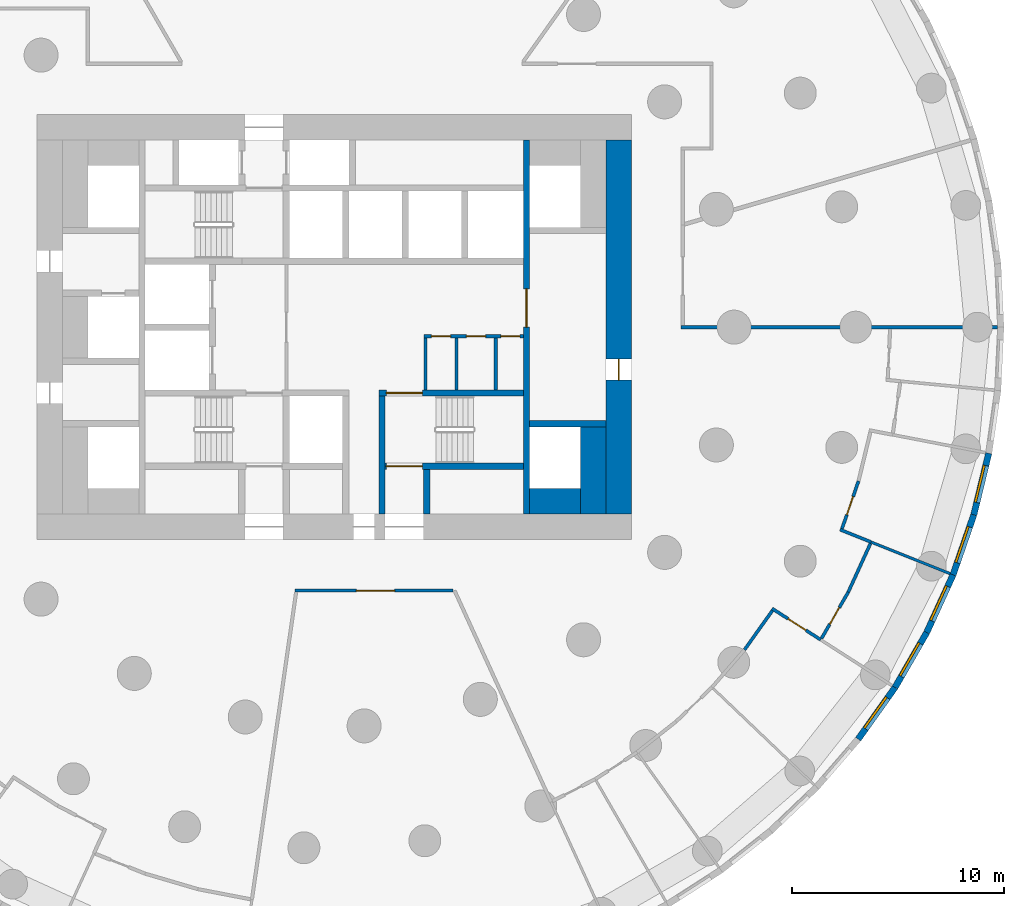
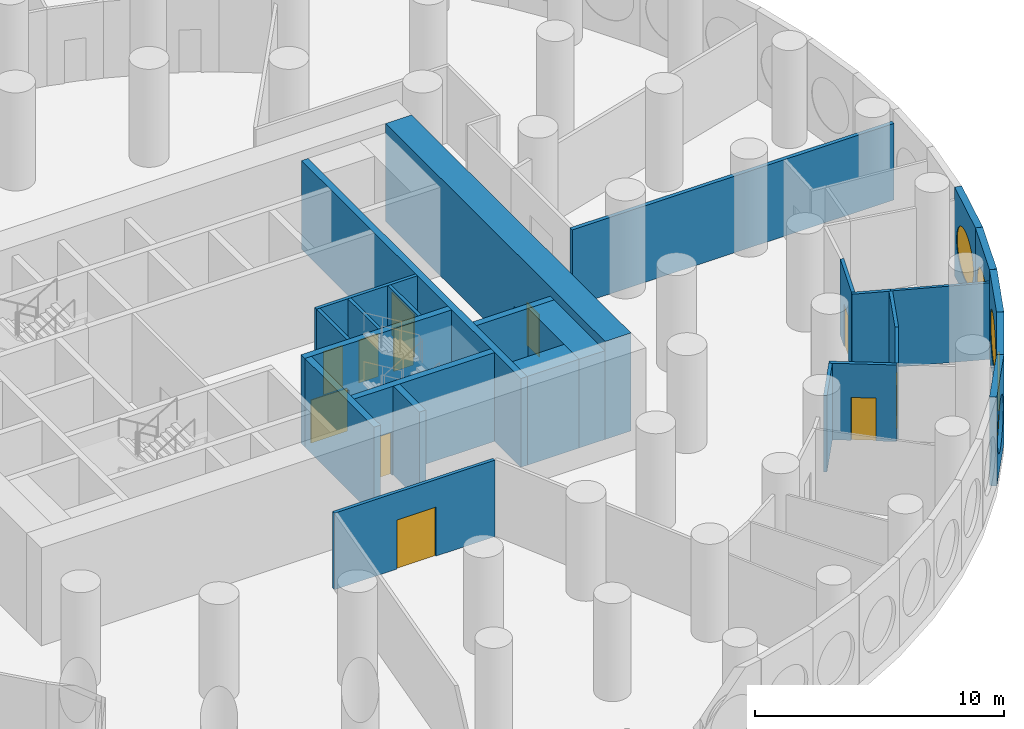
# One storey, part 5 of 11: 27 walls, 11 doors, 5 windows, 16 openings.
"""IFC4 building model written with IfcOpenShell, lengths in metres."""

from ifc_helpers import new_model, si_unit, direction, frame, frame_2d, origin, origin_2d, place, context, subcontext, project, spatial, rectangle, circle, extrude, material, layer, layer_set, type_object, element, fill, save


model = new_model("IFC4")

# Units and contexts
model_context = context("Model", 3, precision=1e-05, world=origin(), true_north=direction((0.0, 1.0)))
body_context = subcontext(model_context, "Body", "Model", "MODEL_VIEW")
ifc_project = project(units=[si_unit("LENGTHUNIT", "METRE"), si_unit("AREAUNIT", "SQUARE_METRE"), si_unit("VOLUMEUNIT", "CUBIC_METRE"), si_unit("PLANEANGLEUNIT", "RADIAN"), si_unit("MASSUNIT", "GRAM", prefix="KILO")], contexts=[model_context])

# Site, building, storey
site_placement = place(None, origin())
site = spatial("IfcSite", under=ifc_project, at=site_placement, CompositionType="ELEMENT")
building_placement = place(site_placement, origin())
building = spatial("IfcBuilding", under=site, at=building_placement, Name="Tracery Tower", CompositionType="ELEMENT")
storey_placement = place(building_placement, frame((0.0, 0.0, 18.60009765625)))
storey = spatial("IfcBuildingStorey", under=building, at=storey_placement, Name="L03", CompositionType="ELEMENT", Elevation=18.60009765625)

# Walls
ifc_material_1 = material(Name="Plasterboard on steel studs", Category="steel")
ifc_layer_1 = layer(ifc_material_1, 0.175048828125)
ifc_layer_set_1 = layer_set([ifc_layer_1], Name="Compartment partition 175")
wall_type_1 = type_object("IfcWallType", Name="Compartment partition 175", PredefinedType="PARTITIONING", material=ifc_layer_set_1)
wall_1_placement = place(storey_placement, frame((31.224365234375, 0.0, 0.0), z_axis=(0.0, 0.0, 1.0), x_axis=(-1.0, 0.0, 0.0)))
element("IfcWall", 1, at=wall_1_placement, inside=storey, type_object=wall_type_1, Name="Compartment partition 175", PredefinedType="PARTITIONING", context=body_context, shape_type="SweptSolid", body=[
    extrude(rectangle(XDim=14.911865234375, YDim=0.175048828125, at=frame_2d((7.4560546875, 0.0))), origin(), (0.0, 0.0, 1.0), 3.75),
])
ifc_material_2 = material(Name="Plasterboard on steel studs", Category="steel")
ifc_layer_2 = layer(ifc_material_2, 0.14990234375)
ifc_layer_set_2 = layer_set([ifc_layer_2], Name="Core room partition 150")
wall_type_2 = type_object("IfcWallType", Name="Core room partition 150", PredefinedType="SOLIDWALL", material=ifc_layer_set_2)
wall_2_placement = place(storey_placement, frame((4.300048828125, -2.949951171875, 0.0), z_axis=(0.0, 0.0, 1.0), x_axis=(0.0, 1.0, 0.0)))
element("IfcWall", 2, at=wall_2_placement, inside=storey, type_object=wall_type_2, Name="L03 slot W", PredefinedType="SOLIDWALL", context=body_context, shape_type="SweptSolid", body=[
    extrude(rectangle(XDim=2.449951171875, YDim=0.14990234375, at=frame_2d((1.22509765625, 0.0))), origin(), (0.0, 0.0, 1.0), 4.349853515625),
])

# Wall, openings, doors
wall_3_placement = place(storey_placement, frame((4.22509765625, -0.425048828125, 0.0), z_axis=(0.0, 0.0, 1.0), x_axis=(1.0, 0.0, 0.0)))
wall_3 = element("IfcWall", 3, at=wall_3_placement, inside=storey, type_object=wall_type_2, Name="L03 slot N", PredefinedType="SOLIDWALL", context=body_context, shape_type="SweptSolid", body=[
    extrude(rectangle(XDim=4.6748046875, YDim=0.14990234375, at=frame_2d((2.33740234375, 0.0))), origin(), (0.0, 0.0, 1.0), 4.349853515625),
])
opening_1_placement = place(wall_3_placement, frame((0.35009765625, 0.0, 0.0)))
opening_1 = element("IfcOpeningElement", 4, at=opening_1_placement, cuts=wall_3, Name="Opening KD27", PredefinedType="OPENING", context=body_context, shape_type="SweptSolid", body=[
    extrude(rectangle(XDim=0.89990234375, YDim=2.10009765625, at=frame_2d((0.449951171875, 1.050048828125))), frame((0.0, 0.074951171875, 0.0), z_axis=(0.0, -1.0, 0.0), x_axis=(1.0, 0.0, 0.0)), (0.0, 0.0, 1.0), 0.14990234375),
])
opening_2_placement = place(wall_3_placement, frame((2.0, 0.0, 0.0)))
opening_2 = element("IfcOpeningElement", 5, at=opening_2_placement, cuts=wall_3, Name="Opening KD21", PredefinedType="OPENING", context=body_context, shape_type="SweptSolid", body=[
    extrude(rectangle(XDim=0.89990234375, YDim=2.10009765625, at=frame_2d((0.449951171875, 1.050048828125))), frame((0.0, 0.074951171875, 0.0), z_axis=(0.0, -1.0, 0.0), x_axis=(1.0, 0.0, 0.0)), (0.0, 0.0, 1.0), 0.14990234375),
])
opening_3_placement = place(wall_3_placement, frame((3.612548828125, 0.0, 0.0)))
opening_3 = element("IfcOpeningElement", 6, at=opening_3_placement, cuts=wall_3, Name="Opening KD27", PredefinedType="OPENING", context=body_context, shape_type="SweptSolid", body=[
    extrude(rectangle(XDim=0.89990234375, YDim=2.10009765625, at=frame_2d((0.449951171875, 1.050048828125))), frame((0.0, 0.074951171875, 0.0), z_axis=(0.0, -1.0, 0.0), x_axis=(1.0, 0.0, 0.0)), (0.0, 0.0, 1.0), 0.14990234375),
])
ifc_material_3 = material(Name="Timber door leaf", Category="wood")
door_type_1 = type_object("IfcDoorType", Name="Core WC door 900", OperationType="NOTDEFINED", PredefinedType="DOOR", material=ifc_material_3)
door_1_placement = place(opening_2_placement, origin())
door_1 = element("IfcDoor", 7, at=door_1_placement, inside=storey, type_object=door_type_1, Name="Core door", OperationType="SINGLE_SWING_LEFT", OverallHeight=2.10009765625, OverallWidth=0.89990234375, PredefinedType="DOOR", context=body_context, shape_type="SweptSolid", body=[
    extrude(rectangle(XDim=0.89990234375, YDim=2.10009765625, at=frame_2d((0.449951171875, 1.050048828125))), frame((0.0, 0.02490234375, 0.0), z_axis=(0.0, -1.0, 0.0), x_axis=(1.0, 0.0, 0.0)), (0.0, 0.0, 1.0), 0.050048828125),
])
fill(opening_2, door_1)
ifc_material_4 = material(Name="Timber door leaf", Category="wood")
door_type_2 = type_object("IfcDoorType", Name="Core store door 900", OperationType="NOTDEFINED", PredefinedType="DOOR", material=ifc_material_4)
door_2_placement = place(opening_1_placement, origin())
door_2 = element("IfcDoor", 8, at=door_2_placement, inside=storey, type_object=door_type_2, Name="Core door", OperationType="SINGLE_SWING_RIGHT", OverallHeight=2.10009765625, OverallWidth=0.89990234375, PredefinedType="DOOR", context=body_context, shape_type="SweptSolid", body=[
    extrude(rectangle(XDim=0.89990234375, YDim=2.10009765625, at=frame_2d((0.449951171875, 1.050048828125))), frame((0.0, 0.02490234375, 0.0), z_axis=(0.0, -1.0, 0.0), x_axis=(1.0, 0.0, 0.0)), (0.0, 0.0, 1.0), 0.050048828125),
])
fill(opening_1, door_2)
door_3_placement = place(opening_3_placement, origin())
door_3 = element("IfcDoor", 9, at=door_3_placement, inside=storey, type_object=door_type_2, Name="Core door", OperationType="SINGLE_SWING_RIGHT", OverallHeight=2.10009765625, OverallWidth=0.89990234375, PredefinedType="DOOR", context=body_context, shape_type="SweptSolid", body=[
    extrude(rectangle(XDim=0.89990234375, YDim=2.10009765625, at=frame_2d((0.449951171875, 1.050048828125))), frame((0.0, 0.02490234375, 0.0), z_axis=(0.0, -1.0, 0.0), x_axis=(1.0, 0.0, 0.0)), (0.0, 0.0, 1.0), 0.050048828125),
])
fill(opening_3, door_3)

# Walls
for number, where, z_axis, x_axis, name in (
    (10, (5.75, -2.949951171875, 0.0), (0.0, 0.0, 1.0), (0.0, 1.0, 0.0), "L03 slot sep 1"),
    (11, (7.60009765625, -2.949951171875, 0.0), (0.0, 0.0, 1.0), (0.0, 1.0, 0.0), "L03 slot sep 2"),
):
    element("IfcWall", number, at=place(storey_placement, frame(where, z_axis=z_axis, x_axis=x_axis)), inside=storey, type_object=wall_type_2, Name=name, PredefinedType="SOLIDWALL", context=body_context, shape_type="SweptSolid", body=[
        extrude(rectangle(XDim=2.449951171875, YDim=0.14990234375, at=frame_2d((1.22509765625, 0.0))), origin(), (0.0, 0.0, 1.0), 4.349853515625),
    ])
ifc_material_5 = material(Name="Concrete C60/75", Category="concrete")
ifc_layer_3 = layer(ifc_material_5, 1.199951171875)
ifc_layer_set_3 = layer_set([ifc_layer_3], Name="Core strip wall 1200 C60")
wall_type_3 = type_object("IfcWallType", Name="Core strip wall 1200 C60", PredefinedType="SOLIDWALL", material=ifc_layer_set_3)
wall_4_placement = place(storey_placement, frame((12.199951171875, -8.800048828125, 0.0), z_axis=(0.0, 0.0, 1.0), x_axis=(0.0, 1.0, 0.0)))
element("IfcWall", 12, at=wall_4_placement, inside=storey, type_object=wall_type_3, Name="L03 wing strip +1 -9.4", PredefinedType="SOLIDWALL", context=body_context, shape_type="SweptSolid", body=[
    extrude(rectangle(XDim=4.10009765625, YDim=1.199951171875, at=frame_2d((2.050048828125, 0.0))), origin(), (0.0, 0.0, 1.0), 4.349853515625),
])
wall_5_placement = place(storey_placement, frame((9.199951171875, -8.199951171875, 0.0), z_axis=(0.0, 0.0, 1.0), x_axis=(1.0, 0.0, 0.0)))
element("IfcWall", 13, at=wall_5_placement, inside=storey, type_object=wall_type_3, Name="L03 wing corner +1 -8.2", PredefinedType="SOLIDWALL", context=body_context, shape_type="SweptSolid", body=[
    extrude(rectangle(XDim=2.400146484375, YDim=1.199951171875, at=frame_2d((1.2001953125, 0.0))), origin(), (0.0, 0.0, 1.0), 4.349853515625),
])

# Wall, opening, door
ifc_material_6 = material(Name="Concrete C60/75", Category="concrete")
ifc_layer_4 = layer(ifc_material_6, 1.199951171875)
ifc_layer_set_4 = layer_set([ifc_layer_4], Name="Core wall 1200 C60")
wall_type_4 = type_object("IfcWallType", Name="Core wall 1200 C60", PredefinedType="SOLIDWALL", material=ifc_layer_set_4)
wall_6_placement = place(storey_placement, frame((13.39990234375, -8.800048828125, 0.0), z_axis=(0.0, 0.0, 1.0), x_axis=(0.0, 1.0, 0.0)))
wall_6 = element("IfcWall", 14, at=wall_6_placement, inside=storey, type_object=wall_type_4, Name="L03 outer E", PredefinedType="SOLIDWALL", context=body_context, shape_type="SweptSolid", body=[
    extrude(rectangle(XDim=17.60009765625, YDim=1.199951171875, at=frame_2d((8.800048828125, 0.0))), origin(), (0.0, 0.0, 1.0), 4.7998046875),
])
opening_4_placement = place(wall_6_placement, frame((6.300048828125, 0.0, 0.0)))
opening_4 = element("IfcOpeningElement", 15, at=opening_4_placement, cuts=wall_6, Name="Opening KD18", PredefinedType="OPENING", context=body_context, shape_type="SweptSolid", body=[
    extrude(rectangle(XDim=1.0, YDim=2.10009765625, at=frame_2d((0.5, 1.050048828125))), frame((0.0, 0.60009765625, 0.0), z_axis=(0.0, -1.0, 0.0), x_axis=(1.0, 0.0, 0.0)), (0.0, 0.0, 1.0), 1.199951171875),
])
ifc_material_7 = material(Name="Steel fire door", Category="steel")
door_type_3 = type_object("IfcDoorType", Name="Core exit door 1000", OperationType="NOTDEFINED", PredefinedType="DOOR", material=ifc_material_7)
door_4_placement = place(opening_4_placement, origin())
door_4 = element("IfcDoor", 16, at=door_4_placement, inside=storey, type_object=door_type_3, Name="Core exit door", OperationType="DOUBLE_DOOR_SINGLE_SWING", OverallHeight=2.10009765625, OverallWidth=1.0, PredefinedType="DOOR", context=body_context, shape_type="SweptSolid", body=[
    extrude(rectangle(XDim=1.0, YDim=2.10009765625, at=frame_2d((0.5, 1.050048828125))), frame((0.0, 0.02490234375, 0.0), z_axis=(0.0, -1.0, 0.0), x_axis=(1.0, 0.0, 0.0)), (0.0, 0.0, 1.0), 0.050048828125),
])
fill(opening_4, door_4)

ifc_material_8 = material(Name="Plasterboard on steel studs", Category="steel")
ifc_layer_5 = layer(ifc_material_8, 0.14990234375)
ifc_layer_set_5 = layer_set([ifc_layer_5], Name="Corridor partition 150")
wall_type_5 = type_object("IfcWallType", Name="Corridor partition 150", PredefinedType="PARTITIONING", material=ifc_layer_set_5)
wall_7_placement = place(storey_placement, frame((5.580322265625, -12.39990234375, 0.0), z_axis=(0.0, 0.0, 1.0), x_axis=(-1.0, 0.0, 0.0)))
wall_7 = element("IfcWall", 17, at=wall_7_placement, inside=storey, type_object=wall_type_5, Name="Corridor partition 150", PredefinedType="PARTITIONING", context=body_context, shape_type="SweptSolid", body=[
    extrude(rectangle(XDim=7.438232421875, YDim=0.14990234375, at=frame_2d((3.71923828125, 0.0))), origin(), (0.0, 0.0, 1.0), 3.75),
])
opening_5_placement = place(wall_7_placement, frame((2.740478515625, 0.0, 0.0)))
opening_5 = element("IfcOpeningElement", 18, at=opening_5_placement, cuts=wall_7, Name="Opening SB-L03-16", PredefinedType="OPENING", context=body_context, shape_type="SweptSolid", body=[
    extrude(rectangle(XDim=1.800048828125, YDim=2.39990234375, at=frame_2d((0.89990234375, 1.199951171875))), frame((0.0, 0.074951171875, 0.0), z_axis=(0.0, -1.0, 0.0), x_axis=(1.0, 0.0, 0.0)), (0.0, 0.0, 1.0), 0.14990234375),
])
ifc_material_9 = material(Name="Glazed aluminium door", Category="aluminium")
door_type_4 = type_object("IfcDoorType", Name="Hall double door 1800", OperationType="DOUBLE_DOOR_SINGLE_SWING", PredefinedType="DOOR", material=ifc_material_9)
door_5_placement = place(opening_5_placement, origin())
door_5 = element("IfcDoor", 19, at=door_5_placement, inside=storey, type_object=door_type_4, Name="Hall double door 1800", OperationType="DOUBLE_DOOR_SINGLE_SWING", OverallHeight=2.39990234375, OverallWidth=1.800048828125, PredefinedType="DOOR", context=body_context, shape_type="SweptSolid", body=[
    extrude(rectangle(XDim=1.800048828125, YDim=2.39990234375, at=frame_2d((0.89990234375, 1.199951171875))), frame((0.0, 0.02490234375, 0.0), z_axis=(0.0, -1.0, 0.0), x_axis=(1.0, 0.0, 0.0)), (0.0, 0.0, 1.0), 0.050048828125),
])
fill(opening_5, door_5)

# Wall
wall_8_placement = place(storey_placement, frame((19.310791015625, -15.18603515625, 0.0), z_axis=(0.0, 0.0, 1.0), x_axis=(0.580084218863, 0.814556504501, 0.0)))
element("IfcWall", 20, at=wall_8_placement, inside=storey, type_object=wall_type_5, Name="Corridor partition 150", PredefinedType="PARTITIONING", context=body_context, shape_type="SweptSolid", body=[
    extrude(rectangle(XDim=2.2626953125, YDim=0.14990234375, at=frame_2d((1.13134765625, 0.0))), origin(), (0.0, 0.0, 1.0), 3.75),
])

# Wall, opening, door
wall_9_placement = place(storey_placement, frame((22.898681640625, -14.716064453125, 0.0), z_axis=(0.0, 0.0, 1.0), x_axis=(-0.841254069526, 0.540639982341, 0.0)))
wall_9 = element("IfcWall", 21, at=wall_9_placement, inside=storey, type_object=wall_type_5, Name="Corridor partition 150", PredefinedType="PARTITIONING", context=body_context, shape_type="SweptSolid", body=[
    extrude(rectangle(XDim=2.72802734375, YDim=0.14990234375, at=frame_2d((1.364013671875, 0.0))), origin(), (0.0, 0.0, 1.0), 3.75),
])
opening_6_placement = place(wall_9_placement, frame((0.826416015625, 0.0, 0.0)))
opening_6 = element("IfcOpeningElement", 22, at=opening_6_placement, cuts=wall_9, Name="Opening SB-L03-20", PredefinedType="OPENING", context=body_context, shape_type="SweptSolid", body=[
    extrude(rectangle(XDim=1.0, YDim=2.10009765625, at=frame_2d((0.5, 1.050048828125))), frame((0.0, 0.074951171875, 0.0), z_axis=(0.0, -1.0, 0.0), x_axis=(1.0, 0.0, 0.0)), (0.0, 0.0, 1.0), 0.14990234375),
])
ifc_material_10 = material(Name="Timber door leaf", Category="wood")
door_type_5 = type_object("IfcDoorType", Name="Public room door 1000", OperationType="NOTDEFINED", PredefinedType="DOOR", material=ifc_material_10)
door_6_placement = place(opening_6_placement, origin())
door_6 = element("IfcDoor", 23, at=door_6_placement, inside=storey, type_object=door_type_5, Name="Public room door 1000", OperationType="SINGLE_SWING_LEFT", OverallHeight=2.10009765625, OverallWidth=1.0, PredefinedType="DOOR", context=body_context, shape_type="SweptSolid", body=[
    extrude(rectangle(XDim=1.0, YDim=2.10009765625, at=frame_2d((0.5, 1.050048828125))), frame((0.0, 0.02490234375, 0.0), z_axis=(0.0, -1.0, 0.0), x_axis=(1.0, 0.0, 0.0)), (0.0, 0.0, 1.0), 0.050048828125),
])
fill(opening_6, door_6)

wall_10_placement = place(storey_placement, frame((24.19384765625, -12.472900390625, 0.0), z_axis=(0.0, 0.0, 1.0), x_axis=(-0.499991329354, -0.866030409726, 0.0)))
wall_10 = element("IfcWall", 24, at=wall_10_placement, inside=storey, type_object=wall_type_5, Name="Corridor partition 150", PredefinedType="PARTITIONING", context=body_context, shape_type="SweptSolid", body=[
    extrude(rectangle(XDim=2.51513671875, YDim=0.14990234375, at=frame_2d((1.257568359375, 0.0))), origin(), (0.0, 0.0, 1.0), 3.75),
])
opening_7_placement = place(wall_10_placement, frame((0.84521484375, 0.0, 0.0)))
opening_7 = element("IfcOpeningElement", 25, at=opening_7_placement, cuts=wall_10, Name="Opening SB-L03-21", PredefinedType="OPENING", context=body_context, shape_type="SweptSolid", body=[
    extrude(rectangle(XDim=0.89990234375, YDim=2.10009765625, at=frame_2d((0.449951171875, 1.050048828125))), frame((0.0, 0.074951171875, 0.0), z_axis=(0.0, -1.0, 0.0), x_axis=(1.0, 0.0, 0.0)), (0.0, 0.0, 1.0), 0.14990234375),
])
ifc_material_11 = material(Name="Timber door leaf", Category="wood")
door_type_6 = type_object("IfcDoorType", Name="Toilet door 900", OperationType="NOTDEFINED", PredefinedType="DOOR", material=ifc_material_11)
door_7_placement = place(opening_7_placement, origin())
door_7 = element("IfcDoor", 26, at=door_7_placement, inside=storey, type_object=door_type_6, Name="Toilet door 900", OperationType="SINGLE_SWING_RIGHT", OverallHeight=2.10009765625, OverallWidth=0.89990234375, PredefinedType="DOOR", context=body_context, shape_type="SweptSolid", body=[
    extrude(rectangle(XDim=0.89990234375, YDim=2.10009765625, at=frame_2d((0.449951171875, 1.050048828125))), frame((0.0, 0.02490234375, 0.0), z_axis=(0.0, -1.0, 0.0), x_axis=(1.0, 0.0, 0.0)), (0.0, 0.0, 1.0), 0.050048828125),
])
fill(opening_7, door_7)

wall_11_placement = place(storey_placement, frame((24.67626953125, -7.24560546875, 0.0), z_axis=(0.0, 0.0, 1.0), x_axis=(-0.327043407404, -0.945009317242, 0.0)))
wall_11 = element("IfcWall", 27, at=wall_11_placement, inside=storey, type_object=wall_type_5, Name="Corridor partition 150", PredefinedType="PARTITIONING", context=body_context, shape_type="SweptSolid", body=[
    extrude(rectangle(XDim=2.372314453125, YDim=0.14990234375, at=frame_2d((1.18603515625, 0.0))), origin(), (0.0, 0.0, 1.0), 3.75),
])
opening_8_placement = place(wall_11_placement, frame((0.773681640625, 0.0, 0.0)))
opening_8 = element("IfcOpeningElement", 28, at=opening_8_placement, cuts=wall_11, Name="Opening SB-L03-22", PredefinedType="OPENING", context=body_context, shape_type="SweptSolid", body=[
    extrude(rectangle(XDim=0.89990234375, YDim=2.10009765625, at=frame_2d((0.449951171875, 1.050048828125))), frame((0.0, 0.074951171875, 0.0), z_axis=(0.0, -1.0, 0.0), x_axis=(1.0, 0.0, 0.0)), (0.0, 0.0, 1.0), 0.14990234375),
])
door_8_placement = place(opening_8_placement, origin())
door_8 = element("IfcDoor", 29, at=door_8_placement, inside=storey, type_object=door_type_6, Name="Toilet door 900", OperationType="SINGLE_SWING_RIGHT", OverallHeight=2.10009765625, OverallWidth=0.89990234375, PredefinedType="DOOR", context=body_context, shape_type="SweptSolid", body=[
    extrude(rectangle(XDim=0.89990234375, YDim=2.10009765625, at=frame_2d((0.449951171875, 1.050048828125))), frame((0.0, 0.02490234375, 0.0), z_axis=(0.0, -1.0, 0.0), x_axis=(1.0, 0.0, 0.0)), (0.0, 0.0, 1.0), 0.050048828125),
])
fill(opening_8, door_8)

# Walls
wall_12_placement = place(storey_placement, frame((24.19384765625, -12.472900390625, 0.0), z_axis=(0.0, 0.0, 1.0), x_axis=(0.415411078746, 0.909633792059, 0.0)))
element("IfcWall", 30, at=wall_12_placement, inside=storey, type_object=wall_type_5, Name="Corridor partition 150", PredefinedType="PARTITIONING", context=body_context, shape_type="SweptSolid", body=[
    extrude(rectangle(XDim=2.515380859375, YDim=0.14990234375, at=frame_2d((1.2578125, 0.0))), origin(), (0.0, 0.0, 1.0), 3.75),
])
wall_13_placement = place(storey_placement, frame((25.27001953125, -10.116455078125, 0.0), z_axis=(0.0, 0.0, 1.0), x_axis=(-0.928391240063, 0.37160423218, 0.0)))
element("IfcWall", 31, at=wall_13_placement, inside=storey, type_object=wall_type_5, Name="Corridor partition 150", PredefinedType="PARTITIONING", context=body_context, shape_type="SweptSolid", body=[
    extrude(rectangle(XDim=1.57666015625, YDim=0.14990234375, at=frame_2d((0.788330078125, 0.0))), origin(), (0.0, 0.0, 1.0), 3.75),
])

# Wall, opening, window
ifc_material_12 = material(Name="Precast concrete C50/60", Category="concrete")
ifc_layer_6 = layer(ifc_material_12, 0.300048828125)
ifc_layer_set_6 = layer_set([ifc_layer_6], Name="Facade panel 3000 x 4350")
wall_type_6 = type_object("IfcWallType", Name="Facade panel 3000 x 4350", PredefinedType="SOLIDWALL", material=ifc_layer_set_6)
wall_14_placement = place(storey_placement, frame((24.661865234375, -19.394287109375, 0.0), z_axis=(0.0, 0.0, 1.0), x_axis=(0.580100533892, 0.814544885551, 0.0)))
wall_14 = element("IfcWall", 32, at=wall_14_placement, inside=storey, type_object=wall_type_6, Name="Facade panel 60 at L03", PredefinedType="SOLIDWALL", context=body_context, shape_type="SweptSolid", body=[
    extrude(rectangle(XDim=2.985595703125, YDim=0.300048828125, at=frame_2d((1.49267578125, 0.0))), origin(), (0.0, 0.0, 1.0), 4.349853515625),
])
opening_9_placement = place(wall_14_placement, frame((1.492919921875, 0.0, 2.0)))
opening_9 = element("IfcOpeningElement", 33, at=opening_9_placement, cuts=wall_14, Name="Opening WN2", PredefinedType="OPENING", context=body_context, shape_type="SweptSolid", body=[
    extrude(circle(Radius=1.199951171875, at=origin_2d()), frame((0.0, 0.159912109375, 0.0), z_axis=(0.0, -1.0, 0.0), x_axis=(1.0, 0.0, 0.0)), (0.0, 0.0, 1.0), 0.320068359375),
])
ifc_material_13 = material(Name="Aluminium frame with tinted double glazing", Category="aluminium")
window_type = type_object("IfcWindowType", Name="Round window 2400", PartitioningType="SINGLE_PANEL", PredefinedType="WINDOW", material=ifc_material_13)
window_1_placement = place(opening_9_placement, origin())
window_1 = element("IfcWindow", 34, at=window_1_placement, inside=storey, type_object=window_type, Name="Round window 60 at L03", OverallHeight=2.39990234375, OverallWidth=2.39990234375, PartitioningType="SINGLE_PANEL", PredefinedType="WINDOW", context=body_context, shape_type="SweptSolid", body=[
    extrude(circle(Radius=1.199951171875, at=origin_2d()), frame((0.0, 0.1201171875, 0.0), z_axis=(0.0, -1.0, 0.0), x_axis=(1.0, 0.0, 0.0)), (0.0, 0.0, 1.0), 0.10009765625),
])
fill(opening_9, window_1)

wall_15_placement = place(storey_placement, frame((26.393798828125, -16.96240234375, 0.0), z_axis=(0.0, 0.0, 1.0), x_axis=(0.500017373705, 0.866015372839, 0.0)))
wall_15 = element("IfcWall", 35, at=wall_15_placement, inside=storey, type_object=wall_type_6, Name="Facade panel 61 at L03", PredefinedType="SOLIDWALL", context=body_context, shape_type="SweptSolid", body=[
    extrude(rectangle(XDim=2.98583984375, YDim=0.300048828125, at=frame_2d((1.492919921875, 0.0))), origin(), (0.0, 0.0, 1.0), 4.349853515625),
])
opening_10_placement = place(wall_15_placement, frame((1.492919921875, 0.0, 2.0)))
opening_10 = element("IfcOpeningElement", 36, at=opening_10_placement, cuts=wall_15, Name="Opening WN2", PredefinedType="OPENING", context=body_context, shape_type="SweptSolid", body=[
    extrude(circle(Radius=1.199951171875, at=origin_2d()), frame((0.0, 0.159912109375, 0.0), z_axis=(0.0, -1.0, 0.0), x_axis=(1.0, 0.0, 0.0)), (0.0, 0.0, 1.0), 0.320068359375),
])
window_2_placement = place(opening_10_placement, origin())
window_2 = element("IfcWindow", 37, at=window_2_placement, inside=storey, type_object=window_type, Name="Round window 61 at L03", OverallHeight=2.39990234375, OverallWidth=2.39990234375, PartitioningType="SINGLE_PANEL", PredefinedType="WINDOW", context=body_context, shape_type="SweptSolid", body=[
    extrude(circle(Radius=1.199951171875, at=origin_2d()), frame((0.0, 0.1201171875, 0.0), z_axis=(0.0, -1.0, 0.0), x_axis=(1.0, 0.0, 0.0)), (0.0, 0.0, 1.0), 0.10009765625),
])
fill(opening_10, window_2)

wall_16_placement = place(storey_placement, frame((27.88671875, -14.376708984375, 0.0), z_axis=(0.0, 0.0, 1.0), x_axis=(0.415373250944, 0.909651066289, 0.0)))
wall_16 = element("IfcWall", 38, at=wall_16_placement, inside=storey, type_object=wall_type_6, Name="Facade panel 62 at L03", PredefinedType="SOLIDWALL", context=body_context, shape_type="SweptSolid", body=[
    extrude(rectangle(XDim=2.98583984375, YDim=0.300048828125, at=frame_2d((1.492919921875, 0.0))), origin(), (0.0, 0.0, 1.0), 4.349853515625),
])
opening_11_placement = place(wall_16_placement, frame((1.492919921875, 0.0, 2.0)))
opening_11 = element("IfcOpeningElement", 39, at=opening_11_placement, cuts=wall_16, Name="Opening WN2", PredefinedType="OPENING", context=body_context, shape_type="SweptSolid", body=[
    extrude(circle(Radius=1.199951171875, at=origin_2d()), frame((0.0, 0.159912109375, 0.0), z_axis=(0.0, -1.0, 0.0), x_axis=(1.0, 0.0, 0.0)), (0.0, 0.0, 1.0), 0.320068359375),
])
window_3_placement = place(opening_11_placement, origin())
window_3 = element("IfcWindow", 40, at=window_3_placement, inside=storey, type_object=window_type, Name="Round window 62 at L03", OverallHeight=2.39990234375, OverallWidth=2.39990234375, PartitioningType="SINGLE_PANEL", PredefinedType="WINDOW", context=body_context, shape_type="SweptSolid", body=[
    extrude(circle(Radius=1.199951171875, at=origin_2d()), frame((0.0, 0.1201171875, 0.0), z_axis=(0.0, -1.0, 0.0), x_axis=(1.0, 0.0, 0.0)), (0.0, 0.0, 1.0), 0.10009765625),
])
fill(opening_11, window_3)

wall_17_placement = place(storey_placement, frame((29.126953125, -11.66064453125, 0.0), z_axis=(0.0, 0.0, 1.0), x_axis=(0.327074054052, 0.944998710669, 0.0)))
wall_17 = element("IfcWall", 41, at=wall_17_placement, inside=storey, type_object=wall_type_6, Name="Facade panel 63 at L03", PredefinedType="SOLIDWALL", context=body_context, shape_type="SweptSolid", body=[
    extrude(rectangle(XDim=2.98583984375, YDim=0.300048828125, at=frame_2d((1.492919921875, 0.0))), origin(), (0.0, 0.0, 1.0), 4.349853515625),
])
opening_12_placement = place(wall_17_placement, frame((1.492919921875, 0.0, 2.0)))
opening_12 = element("IfcOpeningElement", 42, at=opening_12_placement, cuts=wall_17, Name="Opening WN2", PredefinedType="OPENING", context=body_context, shape_type="SweptSolid", body=[
    extrude(circle(Radius=1.199951171875, at=origin_2d()), frame((0.0, 0.159912109375, 0.0), z_axis=(0.0, -1.0, 0.0), x_axis=(1.0, 0.0, 0.0)), (0.0, 0.0, 1.0), 0.320068359375),
])
window_4_placement = place(opening_12_placement, origin())
window_4 = element("IfcWindow", 43, at=window_4_placement, inside=storey, type_object=window_type, Name="Round window 63 at L03", OverallHeight=2.39990234375, OverallWidth=2.39990234375, PartitioningType="SINGLE_PANEL", PredefinedType="WINDOW", context=body_context, shape_type="SweptSolid", body=[
    extrude(circle(Radius=1.199951171875, at=origin_2d()), frame((0.0, 0.1201171875, 0.0), z_axis=(0.0, -1.0, 0.0), x_axis=(1.0, 0.0, 0.0)), (0.0, 0.0, 1.0), 0.10009765625),
])
fill(opening_12, window_4)

wall_18_placement = place(storey_placement, frame((30.103515625, -8.839111328125, 0.0), z_axis=(0.0, 0.0, 1.0), x_axis=(0.235756834479, 0.971812078026, 0.0)))
wall_18 = element("IfcWall", 44, at=wall_18_placement, inside=storey, type_object=wall_type_6, Name="Facade panel 64 at L03", PredefinedType="SOLIDWALL", context=body_context, shape_type="SweptSolid", body=[
    extrude(rectangle(XDim=2.985595703125, YDim=0.300048828125, at=frame_2d((1.49267578125, 0.0))), origin(), (0.0, 0.0, 1.0), 4.349853515625),
])
opening_13_placement = place(wall_18_placement, frame((1.492919921875, 0.0, 2.0)))
opening_13 = element("IfcOpeningElement", 45, at=opening_13_placement, cuts=wall_18, Name="Opening WN2", PredefinedType="OPENING", context=body_context, shape_type="SweptSolid", body=[
    extrude(circle(Radius=1.199951171875, at=origin_2d()), frame((0.0, 0.159912109375, 0.0), z_axis=(0.0, -1.0, 0.0), x_axis=(1.0, 0.0, 0.0)), (0.0, 0.0, 1.0), 0.320068359375),
])
window_5_placement = place(opening_13_placement, origin())
window_5 = element("IfcWindow", 46, at=window_5_placement, inside=storey, type_object=window_type, Name="Round window 64 at L03", OverallHeight=2.39990234375, OverallWidth=2.39990234375, PartitioningType="SINGLE_PANEL", PredefinedType="WINDOW", context=body_context, shape_type="SweptSolid", body=[
    extrude(circle(Radius=1.199951171875, at=origin_2d()), frame((0.0, 0.1201171875, 0.0), z_axis=(0.0, -1.0, 0.0), x_axis=(1.0, 0.0, 0.0)), (0.0, 0.0, 1.0), 0.10009765625),
])
fill(opening_13, window_5)

# Walls
ifc_material_14 = material(Name="Concrete C60/75", Category="concrete")
ifc_layer_7 = layer(ifc_material_14, 0.300048828125)
ifc_layer_set_7 = layer_set([ifc_layer_7], Name="Shaft wall 300 C60")
wall_type_7 = type_object("IfcWallType", Name="Shaft wall 300 C60", PredefinedType="SOLIDWALL", material=ifc_layer_set_7)
wall_19_placement = place(storey_placement, frame((4.35009765625, -8.800048828125, 0.0), z_axis=(0.0, 0.0, 1.0), x_axis=(0.0, 1.0, 0.0)))
element("IfcWall", 47, at=wall_19_placement, inside=storey, type_object=wall_type_7, Name="L03 band S +4.35", PredefinedType="SOLIDWALL", context=body_context, shape_type="SweptSolid", body=[
    extrude(rectangle(XDim=2.10009765625, YDim=0.300048828125, at=frame_2d((1.050048828125, 0.0))), origin(), (0.0, 0.0, 1.0), 4.349853515625),
])
wall_20_placement = place(storey_placement, frame((9.199951171875, -4.550048828125, 0.0), z_axis=(0.0, 0.0, 1.0), x_axis=(1.0, 0.0, 0.0)))
element("IfcWall", 48, at=wall_20_placement, inside=storey, type_object=wall_type_7, Name="L03 wing shaft wall +1 -4.55", PredefinedType="SOLIDWALL", context=body_context, shape_type="SweptSolid", body=[
    extrude(rectangle(XDim=3.60009765625, YDim=0.300048828125, at=frame_2d((1.800048828125, 0.0))), origin(), (0.0, 0.0, 1.0), 4.349853515625),
])

# Wall, opening, door
ifc_material_15 = material(Name="Concrete C60/75", Category="concrete")
ifc_layer_8 = layer(ifc_material_15, 0.300048828125)
ifc_layer_set_8 = layer_set([ifc_layer_8], Name="Stair wall 300 C60")
wall_type_8 = type_object("IfcWallType", Name="Stair wall 300 C60", PredefinedType="SOLIDWALL", material=ifc_layer_set_8)
wall_21_placement = place(storey_placement, frame((2.10009765625, -3.10009765625, 0.0), z_axis=(0.0, 0.0, 1.0), x_axis=(1.0, 0.0, 0.0)))
wall_21 = element("IfcWall", 49, at=wall_21_placement, inside=storey, type_object=wall_type_8, Name="L03 row S E", PredefinedType="SOLIDWALL", context=body_context, shape_type="SweptSolid", body=[
    extrude(rectangle(XDim=6.7998046875, YDim=0.300048828125, at=frame_2d((3.39990234375, 0.0))), origin(), (0.0, 0.0, 1.0), 4.349853515625),
])
opening_14_placement = place(wall_21_placement, frame((0.35009765625, 0.0, 0.0)))
opening_14 = element("IfcOpeningElement", 50, at=opening_14_placement, cuts=wall_21, Name="Opening KD3", PredefinedType="OPENING", context=body_context, shape_type="SweptSolid", body=[
    extrude(rectangle(XDim=1.699951171875, YDim=2.10009765625, at=frame_2d((0.85009765625, 1.050048828125))), frame((0.0, 0.14990234375, 0.0), z_axis=(0.0, -1.0, 0.0), x_axis=(1.0, 0.0, 0.0)), (0.0, 0.0, 1.0), 0.300048828125),
])
ifc_material_16 = material(Name="Steel fire door", Category="steel")
door_type_7 = type_object("IfcDoorType", Name="Core stair door 1700 double", OperationType="NOTDEFINED", PredefinedType="DOOR", material=ifc_material_16)
door_9_placement = place(opening_14_placement, origin())
door_9 = element("IfcDoor", 51, at=door_9_placement, inside=storey, type_object=door_type_7, Name="Stair door ST2", OperationType="DOUBLE_DOOR_SINGLE_SWING", OverallHeight=2.10009765625, OverallWidth=1.699951171875, PredefinedType="DOOR", context=body_context, shape_type="SweptSolid", body=[
    extrude(rectangle(XDim=1.699951171875, YDim=2.10009765625, at=frame_2d((0.85009765625, 1.050048828125))), frame((0.0, 0.02490234375, 0.0), z_axis=(0.0, -1.0, 0.0), x_axis=(1.0, 0.0, 0.0)), (0.0, 0.0, 1.0), 0.050048828125),
])
fill(opening_14, door_9)

# Wall
wall_22_placement = place(storey_placement, frame((2.25, -8.800048828125, 0.0), z_axis=(0.0, 0.0, 1.0), x_axis=(0.0, 1.0, 0.0)))
element("IfcWall", 52, at=wall_22_placement, inside=storey, type_object=wall_type_8, Name="L03 ST2 W", PredefinedType="SOLIDWALL", context=body_context, shape_type="SweptSolid", body=[
    extrude(rectangle(XDim=5.550048828125, YDim=0.300048828125, at=frame_2d((2.77490234375, 0.0))), origin(), (0.0, 0.0, 1.0), 4.349853515625),
])

# Wall, opening, door
wall_23_placement = place(storey_placement, frame((9.050048828125, -8.800048828125, 0.0), z_axis=(0.0, 0.0, 1.0), x_axis=(0.0, 1.0, 0.0)))
wall_23 = element("IfcWall", 53, at=wall_23_placement, inside=storey, type_object=wall_type_8, Name="L03 F wall +9", PredefinedType="SOLIDWALL", context=body_context, shape_type="SweptSolid", body=[
    extrude(rectangle(XDim=17.60009765625, YDim=0.300048828125, at=frame_2d((8.800048828125, 0.0))), origin(), (0.0, 0.0, 1.0), 4.349853515625),
])
opening_15_placement = place(wall_23_placement, frame((8.800048828125, 0.0, 0.0)))
opening_15 = element("IfcOpeningElement", 54, at=opening_15_placement, cuts=wall_23, Name="Opening KD13", PredefinedType="OPENING", context=body_context, shape_type="SweptSolid", body=[
    extrude(rectangle(XDim=1.800048828125, YDim=2.10009765625, at=frame_2d((0.89990234375, 1.050048828125))), frame((0.0, 0.14990234375, 0.0), z_axis=(0.0, -1.0, 0.0), x_axis=(1.0, 0.0, 0.0)), (0.0, 0.0, 1.0), 0.300048828125),
])
ifc_material_17 = material(Name="Steel fire door", Category="steel")
door_type_8 = type_object("IfcDoorType", Name="Core exit door 1800 double", OperationType="NOTDEFINED", PredefinedType="DOOR", material=ifc_material_17)
door_10_placement = place(opening_15_placement, origin())
door_10 = element("IfcDoor", 55, at=door_10_placement, inside=storey, type_object=door_type_8, Name="Core exit door", OperationType="DOUBLE_DOOR_SINGLE_SWING", OverallHeight=2.10009765625, OverallWidth=1.800048828125, PredefinedType="DOOR", context=body_context, shape_type="SweptSolid", body=[
    extrude(rectangle(XDim=1.800048828125, YDim=2.10009765625, at=frame_2d((0.89990234375, 1.050048828125))), frame((0.0, 0.02490234375, 0.0), z_axis=(0.0, -1.0, 0.0), x_axis=(1.0, 0.0, 0.0)), (0.0, 0.0, 1.0), 0.050048828125),
])
fill(opening_15, door_10)

wall_24_placement = place(storey_placement, frame((2.39990234375, -6.550048828125, 0.0), z_axis=(0.0, 0.0, 1.0), x_axis=(1.0, 0.0, 0.0)))
wall_24 = element("IfcWall", 56, at=wall_24_placement, inside=storey, type_object=wall_type_8, Name="L03 F S E", PredefinedType="SOLIDWALL", context=body_context, shape_type="SweptSolid", body=[
    extrude(rectangle(XDim=6.5, YDim=0.300048828125, at=frame_2d((3.25, 0.0))), origin(), (0.0, 0.0, 1.0), 4.349853515625),
])
opening_16_placement = place(wall_24_placement, frame((0.050048828125, 0.0, 0.0)))
opening_16 = element("IfcOpeningElement", 57, at=opening_16_placement, cuts=wall_24, Name="Opening KD3", PredefinedType="OPENING", context=body_context, shape_type="SweptSolid", body=[
    extrude(rectangle(XDim=1.699951171875, YDim=2.10009765625, at=frame_2d((0.85009765625, 1.050048828125))), frame((0.0, 0.14990234375, 0.0), z_axis=(0.0, -1.0, 0.0), x_axis=(1.0, 0.0, 0.0)), (0.0, 0.0, 1.0), 0.300048828125),
])
door_11_placement = place(opening_16_placement, origin())
door_11 = element("IfcDoor", 58, at=door_11_placement, inside=storey, type_object=door_type_7, Name="Stair door ST2 S", OperationType="DOUBLE_DOOR_SINGLE_SWING", OverallHeight=2.10009765625, OverallWidth=1.699951171875, PredefinedType="DOOR", context=body_context, shape_type="SweptSolid", body=[
    extrude(rectangle(XDim=1.699951171875, YDim=2.10009765625, at=frame_2d((0.85009765625, 1.050048828125))), frame((0.0, 0.02490234375, 0.0), z_axis=(0.0, -1.0, 0.0), x_axis=(1.0, 0.0, 0.0)), (0.0, 0.0, 1.0), 0.050048828125),
])
fill(opening_16, door_11)

# Wall
ifc_material_18 = material(Name="Plasterboard on steel studs", Category="steel")
ifc_layer_9 = layer(ifc_material_18, 0.125)
ifc_layer_set_9 = layer_set([ifc_layer_9], Name="Wet area partition 125")
wall_type_9 = type_object("IfcWallType", Name="Wet area partition 125", PredefinedType="PARTITIONING", material=ifc_layer_set_9)
wall_25_placement = place(storey_placement, frame((28.987548828125, -11.60498046875, 0.0), z_axis=(0.0, 0.0, 1.0), x_axis=(-0.928346290212, 0.37171651221, 0.0)))
element("IfcWall", 59, at=wall_25_placement, inside=storey, type_object=wall_type_9, Name="Wet area partition 125", PredefinedType="PARTITIONING", context=body_context, shape_type="SweptSolid", body=[
    extrude(rectangle(XDim=4.00439453125, YDim=0.125, at=frame_2d((2.002197265625, 0.0))), origin(), (0.0, 0.0, 1.0), 3.75),
])

save(model, "model.ifc")
